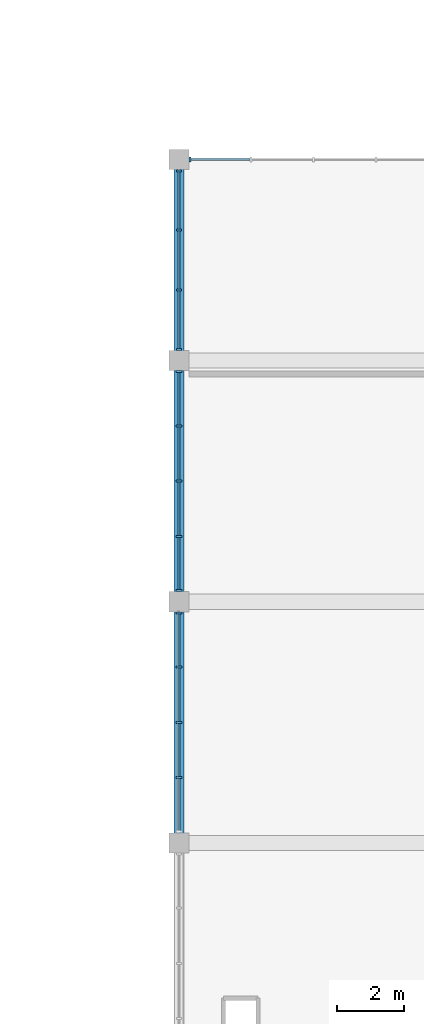
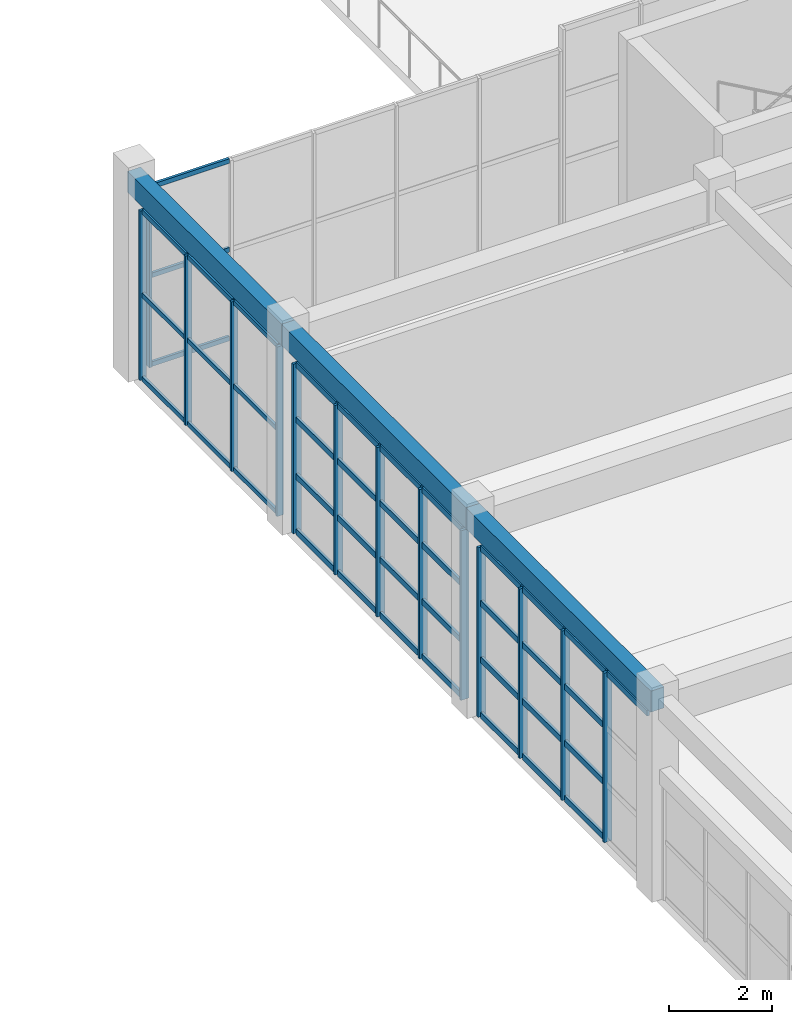
# One storey, part 8 of 72: 55 members, 3 beams, 4 elements without a shape of their own.
"""IFC4 building model written with IfcOpenShell, lengths in metres."""

from ifc_helpers import new_model, si_unit, direction, frame, origin, origin_2d, place, context, subcontext, project, spatial, rectangle, extrude, material, material_profile, profile_set, type_object, element, aggregate, save


model = new_model("IFC4")

# Units and contexts
model_context = context("Model", 3, precision=1e-05, world=origin(), true_north=direction((0.0, 1.0)))
body_context = subcontext(model_context, "Body", "Model", "MODEL_VIEW")
ifc_project = project(units=[si_unit("LENGTHUNIT", "METRE"), si_unit("AREAUNIT", "SQUARE_METRE"), si_unit("VOLUMEUNIT", "CUBIC_METRE"), si_unit("PLANEANGLEUNIT", "RADIAN"), si_unit("MASSUNIT", "GRAM", prefix="KILO")], contexts=[model_context])

# Site, building, storey
site_placement = place(None, origin())
site = spatial("IfcSite", under=ifc_project, at=site_placement, CompositionType="ELEMENT")
building_placement = place(site_placement, origin())
building = spatial("IfcBuilding", under=site, at=building_placement, Name="Nzembalo Square Collegiate School", CompositionType="ELEMENT")
storey_placement = place(building_placement, origin())
storey = spatial("IfcBuildingStorey", under=building, at=storey_placement, Name="L00", CompositionType="ELEMENT", Elevation=0.0)

# Beams
ifc_material_1 = material(Name="Concrete C35/45", Category="concrete")
ifc_material_profile_1 = material_profile(ifc_material_1, rectangle(XDim=0.300048828125, YDim=0.5, at=origin_2d()), Name="RC 300x500")
ifc_profile_set_1 = profile_set([ifc_material_profile_1], Name="Concrete C35/45")
beam_type = type_object("IfcBeamType", Name="SP01", PredefinedType="SPANDREL", material=ifc_profile_set_1)
for number, where, z_axis, x_axis, name in (
    (1, (130.800048828125, 30.0, 4.5400390625), (0.0, 1.0, 0.0), (-1.0, 0.0, 0.0), "Beam SP01 L00"),
    (2, (130.800048828125, 37.199951171875, 4.5400390625), (0.0, 1.0, 0.0), (-1.0, 0.0, 0.0), "Beam SP01 L00"),
):
    element("IfcBeam", number, at=place(storey_placement, frame(where, z_axis=z_axis, x_axis=x_axis)), inside=storey, type_object=beam_type, Name=name, PredefinedType="SPANDREL", context=body_context, shape_type="SweptSolid", body=[
        extrude(rectangle(XDim=0.300048828125, YDim=0.5, at=origin_2d()), origin(), (0.0, 0.0, 1.0), 7.199951171875),
    ])
beam_placement = place(storey_placement, frame((130.800048828125, 44.39990234375, 4.5400390625), z_axis=(0.0, 1.0, 0.0), x_axis=(-1.0, 0.0, 0.0)))
element("IfcBeam", 3, at=beam_placement, inside=storey, type_object=beam_type, Name="Beam SP01 L00", PredefinedType="SPANDREL", context=body_context, shape_type="SweptSolid", body=[
    extrude(rectangle(XDim=0.300048828125, YDim=0.5, at=origin_2d()), origin(), (0.0, 0.0, 1.0), 6.0),
])

# Curtain wall, members
ifc_material_2 = material(Name="Aluminium 6060-T66", Category="aluminium")
curtain_wall_type_1 = type_object("IfcCurtainWallType", Name="CW-05", PredefinedType="USERDEFINED", material=ifc_material_2)
curtain_wall_1_placement = place(storey_placement, origin())
curtain_wall_1 = element("IfcCurtainWall", 4, at=curtain_wall_1_placement, inside=storey, type_object=curtain_wall_type_1, Name="Curtain wall CW-05 cw:L00:012", ObjectType="LANCET", PredefinedType="USERDEFINED")
ifc_material_3 = material(Name="Aluminium 6060-T66", Category="aluminium")
ifc_material_profile_2 = material_profile(ifc_material_3, rectangle(XDim=0.06005859375, YDim=0.179931640625, at=origin_2d()), Name="ALU M60x180")
ifc_profile_set_2 = profile_set([ifc_material_profile_2], Name="Aluminium 6060-T66")
member_type_1 = type_object("IfcMemberType", Name="ML01", PredefinedType="MULLION", material=ifc_profile_set_2)
member_1_placement = place(storey_placement, frame((130.800048828125, 31.950927734375, 0.0), z_axis=(0.0, 0.0, 1.0), x_axis=(0.0, 1.0, 0.0)))
member_1 = element("IfcMember", 5, at=member_1_placement, type_object=member_type_1, Name="ML01 mullion 2", PredefinedType="MULLION", context=body_context, shape_type="SweptSolid", body=[
    extrude(rectangle(XDim=0.06005859375, YDim=0.179931640625, at=origin_2d()), origin(), (0.0, 0.0, 1.0), 4.033935546875),
])
member_2_placement = place(storey_placement, frame((130.800048828125, 33.60009765625, 0.0), z_axis=(0.0, 0.0, 1.0), x_axis=(0.0, 1.0, 0.0)))
member_2 = element("IfcMember", 6, at=member_2_placement, type_object=member_type_1, Name="ML01 mullion 3", PredefinedType="MULLION", context=body_context, shape_type="SweptSolid", body=[
    extrude(rectangle(XDim=0.06005859375, YDim=0.179931640625, at=origin_2d()), origin(), (0.0, 0.0, 1.0), 4.033935546875),
])
member_3_placement = place(storey_placement, frame((130.800048828125, 35.2490234375, 0.0), z_axis=(0.0, 0.0, 1.0), x_axis=(0.0, 1.0, 0.0)))
member_3 = element("IfcMember", 7, at=member_3_placement, type_object=member_type_1, Name="ML01 mullion 4", PredefinedType="MULLION", context=body_context, shape_type="SweptSolid", body=[
    extrude(rectangle(XDim=0.06005859375, YDim=0.179931640625, at=origin_2d()), origin(), (0.0, 0.0, 1.0), 4.033935546875),
])
member_4_placement = place(storey_placement, frame((130.800048828125, 36.867919921875, 0.0), z_axis=(0.0, 0.0, 1.0), x_axis=(0.0, 1.0, 0.0)))
member_4 = element("IfcMember", 8, at=member_4_placement, type_object=member_type_1, Name="ML01 mullion 5", PredefinedType="MULLION", context=body_context, shape_type="SweptSolid", body=[
    extrude(rectangle(XDim=0.06005859375, YDim=0.179931640625, at=origin_2d()), origin(), (0.0, 0.0, 1.0), 4.033935546875),
])

ifc_material_4 = material(Name="Aluminium 6060-T66", Category="aluminium")
curtain_wall_type_2 = type_object("IfcCurtainWallType", Name="CW-06", PredefinedType="USERDEFINED", material=ifc_material_4)
curtain_wall_2_placement = place(storey_placement, origin())
curtain_wall_2 = element("IfcCurtainWall", 9, at=curtain_wall_2_placement, inside=storey, type_object=curtain_wall_type_2, Name="Curtain wall CW-06 cw:L00:013", ObjectType="LANCET", PredefinedType="USERDEFINED")
member_5_placement = place(storey_placement, frame((130.800048828125, 37.531982421875, 0.0), z_axis=(0.0, 0.0, 1.0), x_axis=(0.0, 1.0, 0.0)))
member_5 = element("IfcMember", 10, at=member_5_placement, type_object=member_type_1, Name="ML01 mullion 1", PredefinedType="MULLION", context=body_context, shape_type="SweptSolid", body=[
    extrude(rectangle(XDim=0.06005859375, YDim=0.179931640625, at=origin_2d()), origin(), (0.0, 0.0, 1.0), 4.033935546875),
])
member_6_placement = place(storey_placement, frame((130.800048828125, 39.15087890625, 0.0), z_axis=(0.0, 0.0, 1.0), x_axis=(0.0, 1.0, 0.0)))
member_6 = element("IfcMember", 11, at=member_6_placement, type_object=member_type_1, Name="ML01 mullion 2", PredefinedType="MULLION", context=body_context, shape_type="SweptSolid", body=[
    extrude(rectangle(XDim=0.06005859375, YDim=0.179931640625, at=origin_2d()), origin(), (0.0, 0.0, 1.0), 4.033935546875),
])
member_7_placement = place(storey_placement, frame((130.800048828125, 40.800048828125, 0.0), z_axis=(0.0, 0.0, 1.0), x_axis=(0.0, 1.0, 0.0)))
member_7 = element("IfcMember", 12, at=member_7_placement, type_object=member_type_1, Name="ML01 mullion 3", PredefinedType="MULLION", context=body_context, shape_type="SweptSolid", body=[
    extrude(rectangle(XDim=0.06005859375, YDim=0.179931640625, at=origin_2d()), origin(), (0.0, 0.0, 1.0), 4.033935546875),
])
member_8_placement = place(storey_placement, frame((130.800048828125, 42.448974609375, 0.0), z_axis=(0.0, 0.0, 1.0), x_axis=(0.0, 1.0, 0.0)))
member_8 = element("IfcMember", 13, at=member_8_placement, type_object=member_type_1, Name="ML01 mullion 4", PredefinedType="MULLION", context=body_context, shape_type="SweptSolid", body=[
    extrude(rectangle(XDim=0.06005859375, YDim=0.179931640625, at=origin_2d()), origin(), (0.0, 0.0, 1.0), 4.033935546875),
])
member_9_placement = place(storey_placement, frame((130.800048828125, 44.068115234375, 0.0), z_axis=(0.0, 0.0, 1.0), x_axis=(0.0, 1.0, 0.0)))
member_9 = element("IfcMember", 14, at=member_9_placement, type_object=member_type_1, Name="ML01 mullion 5", PredefinedType="MULLION", context=body_context, shape_type="SweptSolid", body=[
    extrude(rectangle(XDim=0.06005859375, YDim=0.179931640625, at=origin_2d()), origin(), (0.0, 0.0, 1.0), 4.033935546875),
])

ifc_material_5 = material(Name="Aluminium 6060-T66", Category="aluminium")
curtain_wall_type_3 = type_object("IfcCurtainWallType", Name="CW-15", PredefinedType="USERDEFINED", material=ifc_material_5)
curtain_wall_3_placement = place(storey_placement, origin())
curtain_wall_3 = element("IfcCurtainWall", 15, at=curtain_wall_3_placement, inside=storey, type_object=curtain_wall_type_3, Name="Curtain wall CW-15 cw:L00:014", ObjectType="LANCET", PredefinedType="USERDEFINED")
ifc_material_6 = material(Name="Aluminium 6060-T66", Category="aluminium")
ifc_material_profile_3 = material_profile(ifc_material_6, rectangle(XDim=0.06005859375, YDim=0.14990234375, at=origin_2d()), Name="ALU M60x150")
ifc_profile_set_3 = profile_set([ifc_material_profile_3], Name="Aluminium 6060-T66")
member_type_2 = type_object("IfcMemberType", Name="ML02", PredefinedType="MULLION", material=ifc_profile_set_3)
member_10_placement = place(storey_placement, frame((130.800048828125, 44.73193359375, 0.0), z_axis=(0.0, 0.0, 1.0), x_axis=(0.0, 1.0, 0.0)))
member_10 = element("IfcMember", 16, at=member_10_placement, type_object=member_type_2, Name="ML02 mullion 1", PredefinedType="MULLION", context=body_context, shape_type="SweptSolid", body=[
    extrude(rectangle(XDim=0.06005859375, YDim=0.14990234375, at=origin_2d()), origin(), (0.0, 0.0, 1.0), 4.033935546875),
])
member_11_placement = place(storey_placement, frame((130.800048828125, 46.500732421875, 0.0), z_axis=(0.0, 0.0, 1.0), x_axis=(0.0, 1.0, 0.0)))
member_11 = element("IfcMember", 17, at=member_11_placement, type_object=member_type_2, Name="ML02 mullion 2", PredefinedType="MULLION", context=body_context, shape_type="SweptSolid", body=[
    extrude(rectangle(XDim=0.06005859375, YDim=0.14990234375, at=origin_2d()), origin(), (0.0, 0.0, 1.0), 4.033935546875),
])
member_12_placement = place(storey_placement, frame((130.800048828125, 48.29931640625, 0.0), z_axis=(0.0, 0.0, 1.0), x_axis=(0.0, 1.0, 0.0)))
member_12 = element("IfcMember", 18, at=member_12_placement, type_object=member_type_2, Name="ML02 mullion 3", PredefinedType="MULLION", context=body_context, shape_type="SweptSolid", body=[
    extrude(rectangle(XDim=0.06005859375, YDim=0.14990234375, at=origin_2d()), origin(), (0.0, 0.0, 1.0), 4.033935546875),
])
member_13_placement = place(storey_placement, frame((130.800048828125, 50.068115234375, 0.0), z_axis=(0.0, 0.0, 1.0), x_axis=(0.0, 1.0, 0.0)))
member_13 = element("IfcMember", 19, at=member_13_placement, type_object=member_type_2, Name="ML02 mullion 4", PredefinedType="MULLION", context=body_context, shape_type="SweptSolid", body=[
    extrude(rectangle(XDim=0.06005859375, YDim=0.14990234375, at=origin_2d()), origin(), (0.0, 0.0, 1.0), 4.033935546875),
])

# Curtain wall, member
ifc_material_7 = material(Name="Aluminium 6060-T66", Category="aluminium")
curtain_wall_type_4 = type_object("IfcCurtainWallType", Name="CW-12", PredefinedType="USERDEFINED", material=ifc_material_7)
curtain_wall_4_placement = place(storey_placement, origin())
curtain_wall_4 = element("IfcCurtainWall", 20, at=curtain_wall_4_placement, inside=storey, type_object=curtain_wall_type_4, Name="Curtain wall CW-12 cw:L00:015", ObjectType="LANCET", PredefinedType="USERDEFINED")
member_14_placement = place(storey_placement, frame((131.132080078125, 50.39990234375, 0.0), z_axis=(0.0, 0.0, 1.0), x_axis=(1.0, 0.0, 0.0)))
member_14 = element("IfcMember", 21, at=member_14_placement, type_object=member_type_2, Name="ML02 mullion 1", PredefinedType="MULLION", context=body_context, shape_type="SweptSolid", body=[
    extrude(rectangle(XDim=0.06005859375, YDim=0.14990234375, at=origin_2d()), origin(), (0.0, 0.0, 1.0), 4.283935546875),
])

# Member
ifc_material_8 = material(Name="Aluminium 6060-T66", Category="aluminium")
ifc_material_profile_4 = material_profile(ifc_material_8, rectangle(XDim=0.06005859375, YDim=0.139892578125, at=origin_2d()), Name="ALU T60x140")
ifc_profile_set_4 = profile_set([ifc_material_profile_4], Name="Aluminium 6060-T66")
member_type_3 = type_object("IfcMemberType", Name="TR01", PredefinedType="USERDEFINED", material=ifc_profile_set_4)
member_15_placement = place(storey_placement, frame((130.800048828125, 31.98095703125, 0.030029296875), z_axis=(0.0, 1.0, 0.0), x_axis=(-1.0, 0.0, 0.0)))
member_15 = element("IfcMember", 22, at=member_15_placement, type_object=member_type_3, Name="TR01 transom 1-2", ObjectType="TRANSOM", PredefinedType="USERDEFINED", context=body_context, shape_type="SweptSolid", body=[
    extrude(rectangle(XDim=0.06005859375, YDim=0.139892578125, at=origin_2d()), origin(), (0.0, 0.0, 1.0), 1.589111328125),
])

member_16_placement = place(storey_placement, frame((130.800048828125, 33.6298828125, 0.030029296875), z_axis=(0.0, 1.0, 0.0), x_axis=(-1.0, 0.0, 0.0)))
member_16 = element("IfcMember", 23, at=member_16_placement, type_object=member_type_3, Name="TR01 transom 1-3", ObjectType="TRANSOM", PredefinedType="USERDEFINED", context=body_context, shape_type="SweptSolid", body=[
    extrude(rectangle(XDim=0.06005859375, YDim=0.139892578125, at=origin_2d()), origin(), (0.0, 0.0, 1.0), 1.589111328125),
])

member_17_placement = place(storey_placement, frame((130.800048828125, 35.279052734375, 0.030029296875), z_axis=(0.0, 1.0, 0.0), x_axis=(-1.0, 0.0, 0.0)))
member_17 = element("IfcMember", 24, at=member_17_placement, type_object=member_type_3, Name="TR01 transom 1-4", ObjectType="TRANSOM", PredefinedType="USERDEFINED", context=body_context, shape_type="SweptSolid", body=[
    extrude(rectangle(XDim=0.06005859375, YDim=0.139892578125, at=origin_2d()), origin(), (0.0, 0.0, 1.0), 1.558837890625),
])

member_18_placement = place(storey_placement, frame((130.800048828125, 31.98095703125, 1.3447265625), z_axis=(0.0, 1.0, 0.0), x_axis=(-1.0, 0.0, 0.0)))
member_18 = element("IfcMember", 25, at=member_18_placement, type_object=member_type_3, Name="TR01 transom 2-2", ObjectType="TRANSOM", PredefinedType="USERDEFINED", context=body_context, shape_type="SweptSolid", body=[
    extrude(rectangle(XDim=0.06005859375, YDim=0.139892578125, at=origin_2d()), origin(), (0.0, 0.0, 1.0), 1.589111328125),
])

member_19_placement = place(storey_placement, frame((130.800048828125, 33.6298828125, 1.3447265625), z_axis=(0.0, 1.0, 0.0), x_axis=(-1.0, 0.0, 0.0)))
member_19 = element("IfcMember", 26, at=member_19_placement, type_object=member_type_3, Name="TR01 transom 2-3", ObjectType="TRANSOM", PredefinedType="USERDEFINED", context=body_context, shape_type="SweptSolid", body=[
    extrude(rectangle(XDim=0.06005859375, YDim=0.139892578125, at=origin_2d()), origin(), (0.0, 0.0, 1.0), 1.589111328125),
])

member_20_placement = place(storey_placement, frame((130.800048828125, 35.279052734375, 1.3447265625), z_axis=(0.0, 1.0, 0.0), x_axis=(-1.0, 0.0, 0.0)))
member_20 = element("IfcMember", 27, at=member_20_placement, type_object=member_type_3, Name="TR01 transom 2-4", ObjectType="TRANSOM", PredefinedType="USERDEFINED", context=body_context, shape_type="SweptSolid", body=[
    extrude(rectangle(XDim=0.06005859375, YDim=0.139892578125, at=origin_2d()), origin(), (0.0, 0.0, 1.0), 1.558837890625),
])

member_21_placement = place(storey_placement, frame((130.800048828125, 31.98095703125, 2.689208984375), z_axis=(0.0, 1.0, 0.0), x_axis=(-1.0, 0.0, 0.0)))
member_21 = element("IfcMember", 28, at=member_21_placement, type_object=member_type_3, Name="TR01 transom 3-2", ObjectType="TRANSOM", PredefinedType="USERDEFINED", context=body_context, shape_type="SweptSolid", body=[
    extrude(rectangle(XDim=0.06005859375, YDim=0.139892578125, at=origin_2d()), origin(), (0.0, 0.0, 1.0), 1.589111328125),
])

member_22_placement = place(storey_placement, frame((130.800048828125, 33.6298828125, 2.689208984375), z_axis=(0.0, 1.0, 0.0), x_axis=(-1.0, 0.0, 0.0)))
member_22 = element("IfcMember", 29, at=member_22_placement, type_object=member_type_3, Name="TR01 transom 3-3", ObjectType="TRANSOM", PredefinedType="USERDEFINED", context=body_context, shape_type="SweptSolid", body=[
    extrude(rectangle(XDim=0.06005859375, YDim=0.139892578125, at=origin_2d()), origin(), (0.0, 0.0, 1.0), 1.589111328125),
])

member_23_placement = place(storey_placement, frame((130.800048828125, 35.279052734375, 2.689208984375), z_axis=(0.0, 1.0, 0.0), x_axis=(-1.0, 0.0, 0.0)))
member_23 = element("IfcMember", 30, at=member_23_placement, type_object=member_type_3, Name="TR01 transom 3-4", ObjectType="TRANSOM", PredefinedType="USERDEFINED", context=body_context, shape_type="SweptSolid", body=[
    extrude(rectangle(XDim=0.06005859375, YDim=0.139892578125, at=origin_2d()), origin(), (0.0, 0.0, 1.0), 1.558837890625),
])

member_24_placement = place(storey_placement, frame((130.800048828125, 30.362060546875, 4.00390625), z_axis=(0.0, 1.0, 0.0), x_axis=(-1.0, 0.0, 0.0)))
member_24 = element("IfcMember", 31, at=member_24_placement, type_object=member_type_3, Name="TR01 transom 4-1", ObjectType="TRANSOM", PredefinedType="USERDEFINED", context=body_context, shape_type="SweptSolid", body=[
    extrude(rectangle(XDim=0.06005859375, YDim=0.139892578125, at=origin_2d()), origin(), (0.0, 0.0, 1.0), 1.558837890625),
])

member_25_placement = place(storey_placement, frame((130.800048828125, 31.98095703125, 4.00390625), z_axis=(0.0, 1.0, 0.0), x_axis=(-1.0, 0.0, 0.0)))
member_25 = element("IfcMember", 32, at=member_25_placement, type_object=member_type_3, Name="TR01 transom 4-2", ObjectType="TRANSOM", PredefinedType="USERDEFINED", context=body_context, shape_type="SweptSolid", body=[
    extrude(rectangle(XDim=0.06005859375, YDim=0.139892578125, at=origin_2d()), origin(), (0.0, 0.0, 1.0), 1.589111328125),
])

member_26_placement = place(storey_placement, frame((130.800048828125, 33.6298828125, 4.00390625), z_axis=(0.0, 1.0, 0.0), x_axis=(-1.0, 0.0, 0.0)))
member_26 = element("IfcMember", 33, at=member_26_placement, type_object=member_type_3, Name="TR01 transom 4-3", ObjectType="TRANSOM", PredefinedType="USERDEFINED", context=body_context, shape_type="SweptSolid", body=[
    extrude(rectangle(XDim=0.06005859375, YDim=0.139892578125, at=origin_2d()), origin(), (0.0, 0.0, 1.0), 1.589111328125),
])

member_27_placement = place(storey_placement, frame((130.800048828125, 35.279052734375, 4.00390625), z_axis=(0.0, 1.0, 0.0), x_axis=(-1.0, 0.0, 0.0)))
member_27 = element("IfcMember", 34, at=member_27_placement, type_object=member_type_3, Name="TR01 transom 4-4", ObjectType="TRANSOM", PredefinedType="USERDEFINED", context=body_context, shape_type="SweptSolid", body=[
    extrude(rectangle(XDim=0.06005859375, YDim=0.139892578125, at=origin_2d()), origin(), (0.0, 0.0, 1.0), 1.558837890625),
])

aggregate(curtain_wall_1, [member_1, member_2, member_3, member_4, member_15, member_16, member_17, member_18, member_19, member_20, member_21, member_22, member_23, member_24, member_25, member_26, member_27])

member_28_placement = place(storey_placement, frame((130.800048828125, 37.56201171875, 0.030029296875), z_axis=(0.0, 1.0, 0.0), x_axis=(-1.0, 0.0, 0.0)))
member_28 = element("IfcMember", 35, at=member_28_placement, type_object=member_type_3, Name="TR01 transom 1-1", ObjectType="TRANSOM", PredefinedType="USERDEFINED", context=body_context, shape_type="SweptSolid", body=[
    extrude(rectangle(XDim=0.06005859375, YDim=0.139892578125, at=origin_2d()), origin(), (0.0, 0.0, 1.0), 1.55908203125),
])

member_29_placement = place(storey_placement, frame((130.800048828125, 39.180908203125, 0.030029296875), z_axis=(0.0, 1.0, 0.0), x_axis=(-1.0, 0.0, 0.0)))
member_29 = element("IfcMember", 36, at=member_29_placement, type_object=member_type_3, Name="TR01 transom 1-2", ObjectType="TRANSOM", PredefinedType="USERDEFINED", context=body_context, shape_type="SweptSolid", body=[
    extrude(rectangle(XDim=0.06005859375, YDim=0.139892578125, at=origin_2d()), origin(), (0.0, 0.0, 1.0), 1.589111328125),
])

member_30_placement = place(storey_placement, frame((130.800048828125, 40.830078125, 0.030029296875), z_axis=(0.0, 1.0, 0.0), x_axis=(-1.0, 0.0, 0.0)))
member_30 = element("IfcMember", 37, at=member_30_placement, type_object=member_type_3, Name="TR01 transom 1-3", ObjectType="TRANSOM", PredefinedType="USERDEFINED", context=body_context, shape_type="SweptSolid", body=[
    extrude(rectangle(XDim=0.06005859375, YDim=0.139892578125, at=origin_2d()), origin(), (0.0, 0.0, 1.0), 1.5888671875),
])

member_31_placement = place(storey_placement, frame((130.800048828125, 42.47900390625, 0.030029296875), z_axis=(0.0, 1.0, 0.0), x_axis=(-1.0, 0.0, 0.0)))
member_31 = element("IfcMember", 38, at=member_31_placement, type_object=member_type_3, Name="TR01 transom 1-4", ObjectType="TRANSOM", PredefinedType="USERDEFINED", context=body_context, shape_type="SweptSolid", body=[
    extrude(rectangle(XDim=0.06005859375, YDim=0.139892578125, at=origin_2d()), origin(), (0.0, 0.0, 1.0), 1.55908203125),
])

member_32_placement = place(storey_placement, frame((130.800048828125, 37.56201171875, 1.3447265625), z_axis=(0.0, 1.0, 0.0), x_axis=(-1.0, 0.0, 0.0)))
member_32 = element("IfcMember", 39, at=member_32_placement, type_object=member_type_3, Name="TR01 transom 2-1", ObjectType="TRANSOM", PredefinedType="USERDEFINED", context=body_context, shape_type="SweptSolid", body=[
    extrude(rectangle(XDim=0.06005859375, YDim=0.139892578125, at=origin_2d()), origin(), (0.0, 0.0, 1.0), 1.55908203125),
])

member_33_placement = place(storey_placement, frame((130.800048828125, 39.180908203125, 1.3447265625), z_axis=(0.0, 1.0, 0.0), x_axis=(-1.0, 0.0, 0.0)))
member_33 = element("IfcMember", 40, at=member_33_placement, type_object=member_type_3, Name="TR01 transom 2-2", ObjectType="TRANSOM", PredefinedType="USERDEFINED", context=body_context, shape_type="SweptSolid", body=[
    extrude(rectangle(XDim=0.06005859375, YDim=0.139892578125, at=origin_2d()), origin(), (0.0, 0.0, 1.0), 1.589111328125),
])

member_34_placement = place(storey_placement, frame((130.800048828125, 40.830078125, 1.3447265625), z_axis=(0.0, 1.0, 0.0), x_axis=(-1.0, 0.0, 0.0)))
member_34 = element("IfcMember", 41, at=member_34_placement, type_object=member_type_3, Name="TR01 transom 2-3", ObjectType="TRANSOM", PredefinedType="USERDEFINED", context=body_context, shape_type="SweptSolid", body=[
    extrude(rectangle(XDim=0.06005859375, YDim=0.139892578125, at=origin_2d()), origin(), (0.0, 0.0, 1.0), 1.5888671875),
])

member_35_placement = place(storey_placement, frame((130.800048828125, 42.47900390625, 1.3447265625), z_axis=(0.0, 1.0, 0.0), x_axis=(-1.0, 0.0, 0.0)))
member_35 = element("IfcMember", 42, at=member_35_placement, type_object=member_type_3, Name="TR01 transom 2-4", ObjectType="TRANSOM", PredefinedType="USERDEFINED", context=body_context, shape_type="SweptSolid", body=[
    extrude(rectangle(XDim=0.06005859375, YDim=0.139892578125, at=origin_2d()), origin(), (0.0, 0.0, 1.0), 1.55908203125),
])

member_36_placement = place(storey_placement, frame((130.800048828125, 37.56201171875, 2.689208984375), z_axis=(0.0, 1.0, 0.0), x_axis=(-1.0, 0.0, 0.0)))
member_36 = element("IfcMember", 43, at=member_36_placement, type_object=member_type_3, Name="TR01 transom 3-1", ObjectType="TRANSOM", PredefinedType="USERDEFINED", context=body_context, shape_type="SweptSolid", body=[
    extrude(rectangle(XDim=0.06005859375, YDim=0.139892578125, at=origin_2d()), origin(), (0.0, 0.0, 1.0), 1.55908203125),
])

member_37_placement = place(storey_placement, frame((130.800048828125, 39.180908203125, 2.689208984375), z_axis=(0.0, 1.0, 0.0), x_axis=(-1.0, 0.0, 0.0)))
member_37 = element("IfcMember", 44, at=member_37_placement, type_object=member_type_3, Name="TR01 transom 3-2", ObjectType="TRANSOM", PredefinedType="USERDEFINED", context=body_context, shape_type="SweptSolid", body=[
    extrude(rectangle(XDim=0.06005859375, YDim=0.139892578125, at=origin_2d()), origin(), (0.0, 0.0, 1.0), 1.589111328125),
])

member_38_placement = place(storey_placement, frame((130.800048828125, 40.830078125, 2.689208984375), z_axis=(0.0, 1.0, 0.0), x_axis=(-1.0, 0.0, 0.0)))
member_38 = element("IfcMember", 45, at=member_38_placement, type_object=member_type_3, Name="TR01 transom 3-3", ObjectType="TRANSOM", PredefinedType="USERDEFINED", context=body_context, shape_type="SweptSolid", body=[
    extrude(rectangle(XDim=0.06005859375, YDim=0.139892578125, at=origin_2d()), origin(), (0.0, 0.0, 1.0), 1.5888671875),
])

member_39_placement = place(storey_placement, frame((130.800048828125, 42.47900390625, 2.689208984375), z_axis=(0.0, 1.0, 0.0), x_axis=(-1.0, 0.0, 0.0)))
member_39 = element("IfcMember", 46, at=member_39_placement, type_object=member_type_3, Name="TR01 transom 3-4", ObjectType="TRANSOM", PredefinedType="USERDEFINED", context=body_context, shape_type="SweptSolid", body=[
    extrude(rectangle(XDim=0.06005859375, YDim=0.139892578125, at=origin_2d()), origin(), (0.0, 0.0, 1.0), 1.55908203125),
])

member_40_placement = place(storey_placement, frame((130.800048828125, 37.56201171875, 4.00390625), z_axis=(0.0, 1.0, 0.0), x_axis=(-1.0, 0.0, 0.0)))
member_40 = element("IfcMember", 47, at=member_40_placement, type_object=member_type_3, Name="TR01 transom 4-1", ObjectType="TRANSOM", PredefinedType="USERDEFINED", context=body_context, shape_type="SweptSolid", body=[
    extrude(rectangle(XDim=0.06005859375, YDim=0.139892578125, at=origin_2d()), origin(), (0.0, 0.0, 1.0), 1.55908203125),
])

member_41_placement = place(storey_placement, frame((130.800048828125, 39.180908203125, 4.00390625), z_axis=(0.0, 1.0, 0.0), x_axis=(-1.0, 0.0, 0.0)))
member_41 = element("IfcMember", 48, at=member_41_placement, type_object=member_type_3, Name="TR01 transom 4-2", ObjectType="TRANSOM", PredefinedType="USERDEFINED", context=body_context, shape_type="SweptSolid", body=[
    extrude(rectangle(XDim=0.06005859375, YDim=0.139892578125, at=origin_2d()), origin(), (0.0, 0.0, 1.0), 1.589111328125),
])

member_42_placement = place(storey_placement, frame((130.800048828125, 40.830078125, 4.00390625), z_axis=(0.0, 1.0, 0.0), x_axis=(-1.0, 0.0, 0.0)))
member_42 = element("IfcMember", 49, at=member_42_placement, type_object=member_type_3, Name="TR01 transom 4-3", ObjectType="TRANSOM", PredefinedType="USERDEFINED", context=body_context, shape_type="SweptSolid", body=[
    extrude(rectangle(XDim=0.06005859375, YDim=0.139892578125, at=origin_2d()), origin(), (0.0, 0.0, 1.0), 1.5888671875),
])

member_43_placement = place(storey_placement, frame((130.800048828125, 42.47900390625, 4.00390625), z_axis=(0.0, 1.0, 0.0), x_axis=(-1.0, 0.0, 0.0)))
member_43 = element("IfcMember", 50, at=member_43_placement, type_object=member_type_3, Name="TR01 transom 4-4", ObjectType="TRANSOM", PredefinedType="USERDEFINED", context=body_context, shape_type="SweptSolid", body=[
    extrude(rectangle(XDim=0.06005859375, YDim=0.139892578125, at=origin_2d()), origin(), (0.0, 0.0, 1.0), 1.55908203125),
])

aggregate(curtain_wall_2, [member_5, member_6, member_7, member_8, member_9, member_28, member_29, member_30, member_31, member_32, member_33, member_34, member_35, member_36, member_37, member_38, member_39, member_40, member_41, member_42, member_43])

ifc_material_9 = material(Name="Aluminium 6060-T66", Category="aluminium")
ifc_material_profile_5 = material_profile(ifc_material_9, rectangle(XDim=0.06005859375, YDim=0.110107421875, at=origin_2d()), Name="ALU T60x110")
ifc_profile_set_5 = profile_set([ifc_material_profile_5], Name="Aluminium 6060-T66")
member_type_4 = type_object("IfcMemberType", Name="TR02", PredefinedType="USERDEFINED", material=ifc_profile_set_5)
member_44_placement = place(storey_placement, frame((130.800048828125, 44.761962890625, 0.030029296875), z_axis=(0.0, 1.0, 0.0), x_axis=(-1.0, 0.0, 0.0)))
member_44 = element("IfcMember", 51, at=member_44_placement, type_object=member_type_4, Name="TR02 transom 1-1", ObjectType="TRANSOM", PredefinedType="USERDEFINED", context=body_context, shape_type="SweptSolid", body=[
    extrude(rectangle(XDim=0.06005859375, YDim=0.110107421875, at=origin_2d()), origin(), (0.0, 0.0, 1.0), 1.708740234375),
])

member_45_placement = place(storey_placement, frame((130.800048828125, 46.53076171875, 0.030029296875), z_axis=(0.0, 1.0, 0.0), x_axis=(-1.0, 0.0, 0.0)))
member_45 = element("IfcMember", 52, at=member_45_placement, type_object=member_type_4, Name="TR02 transom 1-2", ObjectType="TRANSOM", PredefinedType="USERDEFINED", context=body_context, shape_type="SweptSolid", body=[
    extrude(rectangle(XDim=0.06005859375, YDim=0.110107421875, at=origin_2d()), origin(), (0.0, 0.0, 1.0), 1.738525390625),
])

member_46_placement = place(storey_placement, frame((130.800048828125, 48.329345703125, 0.030029296875), z_axis=(0.0, 1.0, 0.0), x_axis=(-1.0, 0.0, 0.0)))
member_46 = element("IfcMember", 53, at=member_46_placement, type_object=member_type_4, Name="TR02 transom 1-3", ObjectType="TRANSOM", PredefinedType="USERDEFINED", context=body_context, shape_type="SweptSolid", body=[
    extrude(rectangle(XDim=0.06005859375, YDim=0.110107421875, at=origin_2d()), origin(), (0.0, 0.0, 1.0), 1.708740234375),
])

member_47_placement = place(storey_placement, frame((130.800048828125, 44.761962890625, 2.01708984375), z_axis=(0.0, 1.0, 0.0), x_axis=(-1.0, 0.0, 0.0)))
member_47 = element("IfcMember", 54, at=member_47_placement, type_object=member_type_4, Name="TR02 transom 2-1", ObjectType="TRANSOM", PredefinedType="USERDEFINED", context=body_context, shape_type="SweptSolid", body=[
    extrude(rectangle(XDim=0.06005859375, YDim=0.110107421875, at=origin_2d()), origin(), (0.0, 0.0, 1.0), 1.708740234375),
])

member_48_placement = place(storey_placement, frame((130.800048828125, 46.53076171875, 2.01708984375), z_axis=(0.0, 1.0, 0.0), x_axis=(-1.0, 0.0, 0.0)))
member_48 = element("IfcMember", 55, at=member_48_placement, type_object=member_type_4, Name="TR02 transom 2-2", ObjectType="TRANSOM", PredefinedType="USERDEFINED", context=body_context, shape_type="SweptSolid", body=[
    extrude(rectangle(XDim=0.06005859375, YDim=0.110107421875, at=origin_2d()), origin(), (0.0, 0.0, 1.0), 1.738525390625),
])

member_49_placement = place(storey_placement, frame((130.800048828125, 48.329345703125, 2.01708984375), z_axis=(0.0, 1.0, 0.0), x_axis=(-1.0, 0.0, 0.0)))
member_49 = element("IfcMember", 56, at=member_49_placement, type_object=member_type_4, Name="TR02 transom 2-3", ObjectType="TRANSOM", PredefinedType="USERDEFINED", context=body_context, shape_type="SweptSolid", body=[
    extrude(rectangle(XDim=0.06005859375, YDim=0.110107421875, at=origin_2d()), origin(), (0.0, 0.0, 1.0), 1.708740234375),
])

member_50_placement = place(storey_placement, frame((130.800048828125, 44.761962890625, 4.00390625), z_axis=(0.0, 1.0, 0.0), x_axis=(-1.0, 0.0, 0.0)))
member_50 = element("IfcMember", 57, at=member_50_placement, type_object=member_type_4, Name="TR02 transom 3-1", ObjectType="TRANSOM", PredefinedType="USERDEFINED", context=body_context, shape_type="SweptSolid", body=[
    extrude(rectangle(XDim=0.06005859375, YDim=0.110107421875, at=origin_2d()), origin(), (0.0, 0.0, 1.0), 1.708740234375),
])

member_51_placement = place(storey_placement, frame((130.800048828125, 46.53076171875, 4.00390625), z_axis=(0.0, 1.0, 0.0), x_axis=(-1.0, 0.0, 0.0)))
member_51 = element("IfcMember", 58, at=member_51_placement, type_object=member_type_4, Name="TR02 transom 3-2", ObjectType="TRANSOM", PredefinedType="USERDEFINED", context=body_context, shape_type="SweptSolid", body=[
    extrude(rectangle(XDim=0.06005859375, YDim=0.110107421875, at=origin_2d()), origin(), (0.0, 0.0, 1.0), 1.738525390625),
])

member_52_placement = place(storey_placement, frame((130.800048828125, 48.329345703125, 4.00390625), z_axis=(0.0, 1.0, 0.0), x_axis=(-1.0, 0.0, 0.0)))
member_52 = element("IfcMember", 59, at=member_52_placement, type_object=member_type_4, Name="TR02 transom 3-3", ObjectType="TRANSOM", PredefinedType="USERDEFINED", context=body_context, shape_type="SweptSolid", body=[
    extrude(rectangle(XDim=0.06005859375, YDim=0.110107421875, at=origin_2d()), origin(), (0.0, 0.0, 1.0), 1.708740234375),
])

aggregate(curtain_wall_3, [member_10, member_11, member_12, member_13, member_44, member_45, member_46, member_47, member_48, member_49, member_50, member_51, member_52])

member_53_placement = place(storey_placement, frame((131.162109375, 50.39990234375, 0.030029296875), z_axis=(1.0, 0.0, 0.0), x_axis=(0.0, 1.0, 0.0)))
member_53 = element("IfcMember", 60, at=member_53_placement, type_object=member_type_4, Name="TR02 transom 1-1", ObjectType="TRANSOM", PredefinedType="USERDEFINED", context=body_context, shape_type="SweptSolid", body=[
    extrude(rectangle(XDim=0.06005859375, YDim=0.110107421875, at=origin_2d()), origin(), (0.0, 0.0, 1.0), 1.76953125),
])

member_54_placement = place(storey_placement, frame((131.162109375, 50.39990234375, 2.14208984375), z_axis=(1.0, 0.0, 0.0), x_axis=(0.0, 1.0, 0.0)))
member_54 = element("IfcMember", 61, at=member_54_placement, type_object=member_type_4, Name="TR02 transom 2-1", ObjectType="TRANSOM", PredefinedType="USERDEFINED", context=body_context, shape_type="SweptSolid", body=[
    extrude(rectangle(XDim=0.06005859375, YDim=0.110107421875, at=origin_2d()), origin(), (0.0, 0.0, 1.0), 1.76953125),
])

member_55_placement = place(storey_placement, frame((131.162109375, 50.39990234375, 4.25390625), z_axis=(1.0, 0.0, 0.0), x_axis=(0.0, 1.0, 0.0)))
member_55 = element("IfcMember", 62, at=member_55_placement, type_object=member_type_4, Name="TR02 transom 3-1", ObjectType="TRANSOM", PredefinedType="USERDEFINED", context=body_context, shape_type="SweptSolid", body=[
    extrude(rectangle(XDim=0.06005859375, YDim=0.110107421875, at=origin_2d()), origin(), (0.0, 0.0, 1.0), 1.76953125),
])

aggregate(curtain_wall_4, [member_14, member_53, member_54, member_55])

save(model, "model.ifc")
